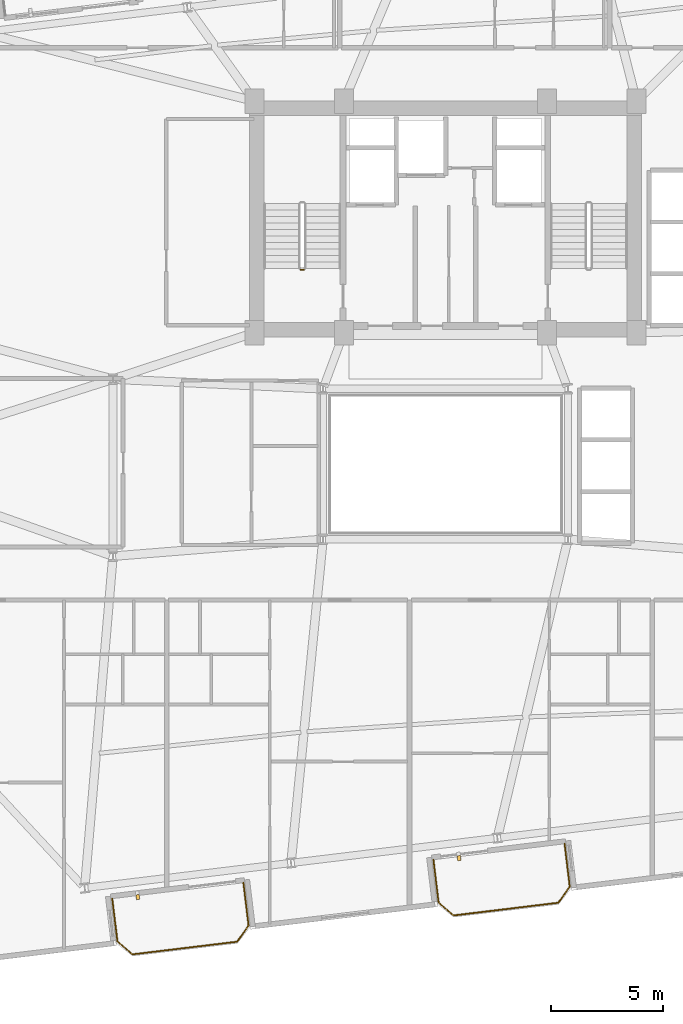
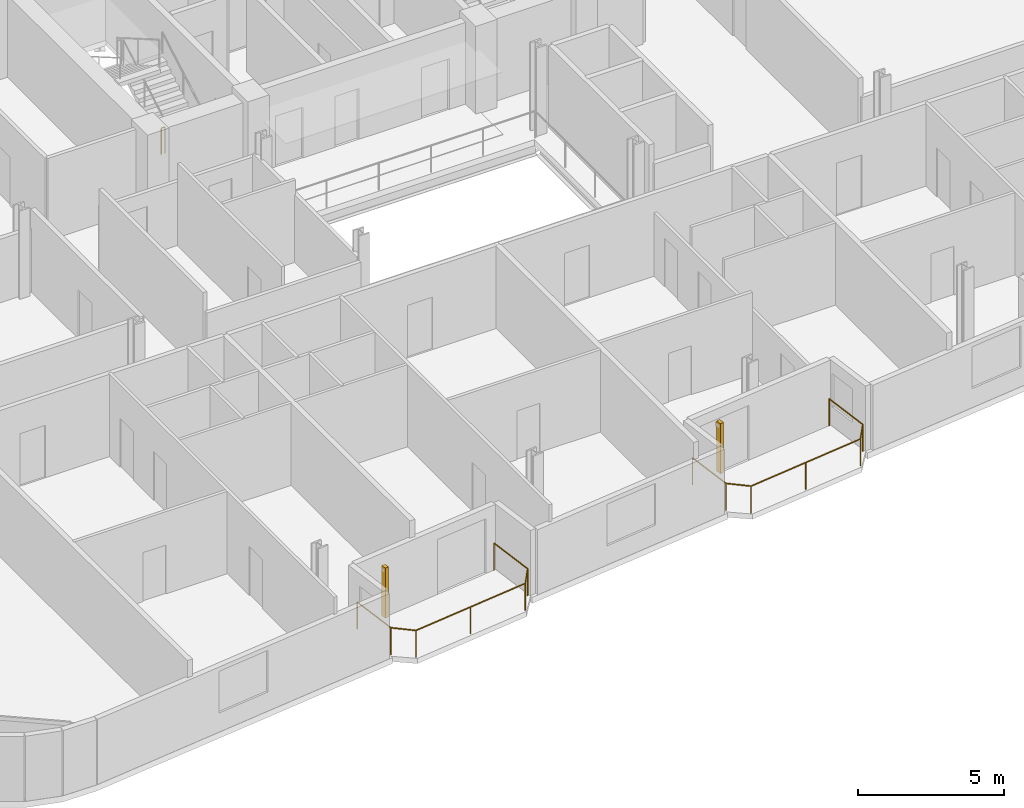
# One storey, part 21 of 24: 3 railings, 2 shading devices.
"""IFC4 building model written with IfcOpenShell, lengths in metres."""

from ifc_helpers import new_model, si_unit, direction, frame, origin, origin_2d, place, context, subcontext, project, spatial, rectangle, circle, extrude, source, transform, mapped, material, type_object, element, save


model = new_model("IFC4")

# Units and contexts
model_context = context("Model", 3, precision=1e-05, world=origin(), true_north=direction((0.0, 1.0)))
body_context = subcontext(model_context, "Body", "Model", "MODEL_VIEW")
ifc_project = project(units=[si_unit("LENGTHUNIT", "METRE"), si_unit("AREAUNIT", "SQUARE_METRE"), si_unit("VOLUMEUNIT", "CUBIC_METRE"), si_unit("PLANEANGLEUNIT", "RADIAN"), si_unit("MASSUNIT", "GRAM", prefix="KILO")], contexts=[model_context])

# Site, building, storey
site_placement = place(None, origin())
site = spatial("IfcSite", under=ifc_project, at=site_placement, CompositionType="ELEMENT")
building_placement = place(site_placement, origin())
building = spatial("IfcBuilding", under=site, at=building_placement, Name="Varnelok Gate Tower", CompositionType="ELEMENT")
storey_placement = place(building_placement, frame((0.0, 0.0, 167.199951171875)))
storey = spatial("IfcBuildingStorey", under=building, at=storey_placement, Name="L42", CompositionType="ELEMENT", Elevation=167.199951171875)

# Railings
ifc_material_1 = material(Name="Low-E Laminated Double Glazing IGU", Category="glass")
railing_type_1 = type_object("IfcRailingType", Name="RL-BALC-1150", PredefinedType="BALUSTRADE", material=ifc_material_1)
railing_1_placement = place(storey_placement, frame((24.368896484375, 3.55712890625, 0.0)))
element("IfcRailing", 1, at=railing_1_placement, inside=storey, type_object=railing_type_1, Name="L42 South Terrace Balustrade 1", PredefinedType="BALUSTRADE", context=body_context, shape_type="SweptSolid", body=[
    extrude(circle(Radius=0.02392578125, at=origin_2d()), frame((0.0, 0.0, 1.1259765625), z_axis=(0.120293392036, -0.992738384386, 0.0), x_axis=(0.992738384386, 0.120293392036, 0.0)), (0.0, 0.0, 1.0), 1.919921875),
    extrude(circle(Radius=0.02392578125, at=origin_2d()), frame((0.23095703125, -1.906005859375, 1.1259765625), z_axis=(0.756422670136, -0.654083132411, 0.0), x_axis=(0.654083132411, 0.756422670136, 0.0)), (0.0, 0.0, 1.0), 0.8779296875),
    extrude(circle(Radius=0.02392578125, at=origin_2d()), frame((0.89501953125, -2.480224609375, 1.1259765625), z_axis=(0.992736790351, 0.120306546306, 0.0), x_axis=(-0.120306546306, 0.992736790351, 0.0)), (0.0, 0.0, 1.0), 4.699951171875),
    extrude(circle(Radius=0.02392578125, at=origin_2d()), frame((5.560791015625, -1.914794921875, 1.1259765625), z_axis=(0.57815621837, 0.815926091726, 0.0), x_axis=(-0.815926091726, 0.57815621837, 0.0)), (0.0, 0.0, 1.0), 0.8779296875),
    extrude(circle(Radius=0.02392578125, at=origin_2d()), frame((6.068359375, -1.198486328125, 1.1259765625), z_axis=(-0.12040351024, 0.992725034802, 0.0), x_axis=(-0.992725034802, -0.12040351024, 0.0)), (0.0, 0.0, 1.0), 1.920166015625),
    extrude(circle(Radius=0.02099609375, at=origin_2d()), origin(), (0.0, 0.0, 1.0), 1.101806640625),
    extrude(circle(Radius=0.02099609375, at=origin_2d()), frame((0.23095703125, -1.906005859375, 0.0)), (0.0, 0.0, 1.0), 1.101806640625),
    extrude(circle(Radius=0.02099609375, at=origin_2d()), frame((0.89501953125, -2.480224609375, 0.0)), (0.0, 0.0, 1.0), 1.101806640625),
    extrude(circle(Radius=0.02099609375, at=origin_2d()), frame((3.22802734375, -2.197509765625, 0.0)), (0.0, 0.0, 1.0), 1.101806640625),
    extrude(circle(Radius=0.02099609375, at=origin_2d()), frame((5.560791015625, -1.914794921875, 0.0)), (0.0, 0.0, 1.0), 1.101806640625),
    extrude(circle(Radius=0.02099609375, at=origin_2d()), frame((6.068359375, -1.198486328125, 0.0)), (0.0, 0.0, 1.0), 1.101806640625),
    extrude(circle(Radius=0.02099609375, at=origin_2d()), frame((5.837158203125, 0.707763671875, 0.0)), (0.0, 0.0, 1.0), 1.101806640625),
])
railing_2_placement = place(storey_placement, frame((38.664306640625, 5.2900390625, 0.0)))
element("IfcRailing", 2, at=railing_2_placement, inside=storey, type_object=railing_type_1, Name="L42 South Terrace Balustrade 2", PredefinedType="BALUSTRADE", context=body_context, shape_type="SweptSolid", body=[
    extrude(circle(Radius=0.02392578125, at=origin_2d()), frame((0.0, 0.0, 1.1259765625), z_axis=(0.120293392036, -0.992738384386, 0.0), x_axis=(0.992738384386, 0.120293392036, 0.0)), (0.0, 0.0, 1.0), 1.919921875),
    extrude(circle(Radius=0.02392578125, at=origin_2d()), frame((0.23095703125, -1.906005859375, 1.1259765625), z_axis=(0.756303655992, -0.654220742513, 0.0), x_axis=(0.654220742513, 0.756303655992, 0.0)), (0.0, 0.0, 1.0), 0.877685546875),
    extrude(circle(Radius=0.02392578125, at=origin_2d()), frame((0.894775390625, -2.480224609375, 1.1259765625), z_axis=(0.99273133746, 0.120351533534, 0.0), x_axis=(-0.120351533534, 0.99273133746, 0.0)), (0.0, 0.0, 1.0), 4.7001953125),
    extrude(circle(Radius=0.02392578125, at=origin_2d()), frame((5.560791015625, -1.91455078125, 1.1259765625), z_axis=(0.577971037086, 0.816057277579, 0.0), x_axis=(-0.816057277579, 0.577971037086, 0.0)), (0.0, 0.0, 1.0), 0.877685546875),
    extrude(circle(Radius=0.02392578125, at=origin_2d()), frame((6.068115234375, -1.1982421875, 1.1259765625), z_axis=(-0.120293392036, 0.992738384386, 0.0), x_axis=(-0.992738384386, -0.120293392036, 0.0)), (0.0, 0.0, 1.0), 1.919921875),
    extrude(circle(Radius=0.02099609375, at=origin_2d()), origin(), (0.0, 0.0, 1.0), 1.101806640625),
    extrude(circle(Radius=0.02099609375, at=origin_2d()), frame((0.23095703125, -1.906005859375, 0.0)), (0.0, 0.0, 1.0), 1.101806640625),
    extrude(circle(Radius=0.02099609375, at=origin_2d()), frame((0.894775390625, -2.480224609375, 0.0)), (0.0, 0.0, 1.0), 1.101806640625),
    extrude(circle(Radius=0.02099609375, at=origin_2d()), frame((3.227783203125, -2.197265625, 0.0)), (0.0, 0.0, 1.0), 1.101806640625),
    extrude(circle(Radius=0.02099609375, at=origin_2d()), frame((5.560791015625, -1.91455078125, 0.0)), (0.0, 0.0, 1.0), 1.101806640625),
    extrude(circle(Radius=0.02099609375, at=origin_2d()), frame((6.068115234375, -1.1982421875, 0.0)), (0.0, 0.0, 1.0), 1.101806640625),
    extrude(circle(Radius=0.02099609375, at=origin_2d()), frame((5.837158203125, 0.707763671875, 0.0)), (0.0, 0.0, 1.0), 1.101806640625),
])
ifc_material_2 = material(Name="Galvanized Steel Grade S350GD", Category="steel")
railing_type_2 = type_object("IfcRailingType", Name="RL-STAIR-GUARD1120", PredefinedType="GUARDRAIL", material=ifc_material_2)
railing_3_placement = place(storey_placement, frame((32.89990234375, 31.550048828125, 0.0)))
element("IfcRailing", 3, at=railing_3_placement, inside=storey, type_object=railing_type_2, Name="L42 ST-1 stair guard 4", PredefinedType="GUARDRAIL", context=body_context, shape_type="SweptSolid", body=[
    extrude(circle(Radius=0.02392578125, at=origin_2d()), frame((0.0, 0.0, 1.09619140625), z_axis=(-1.0, 0.0, 0.0), x_axis=(0.0, -1.0, 0.0)), (0.0, 0.0, 1.0), 0.14990234375),
    extrude(circle(Radius=0.02099609375, at=origin_2d()), origin(), (0.0, 0.0, 1.0), 1.072021484375),
    extrude(circle(Radius=0.02099609375, at=origin_2d()), frame((-0.14990234375, 0.0, 0.0)), (0.0, 0.0, 1.0), 1.072021484375),
])

# Shading devices
ifc_material_3 = material(Name="Glazed Architectural Terracotta Ceramic", Category="masonry")
shading_device_type = type_object("IfcShadingDeviceType", Name="SHD-TERRA-BAGUETTE", PredefinedType="USERDEFINED", material=ifc_material_3)
shared_shape = source(origin(), body_context, "Body", "SweptSolid", [
    extrude(rectangle(XDim=0.139892578125, YDim=0.219970703125, at=origin_2d()), origin(), (0.0, 0.0, 1.0), 2.10009765625),
])
for number, where, z_axis, x_axis, name in (
    (4, (25.509033203125, 3.624755859375, 0.10009765625), (0.0, 0.0, 1.0), (0.992732158755, 0.12034475881, 0.0), "L42 Terracotta Ceramic Baguette Sunscreen 1.1"),
    (5, (39.80419921875, 5.35791015625, 0.10009765625), (0.0, 0.0, 1.0), (0.992732158755, 0.12034475881, 0.0), "L42 Terracotta Ceramic Baguette Sunscreen 2.1"),
):
    element("IfcShadingDevice", number, at=place(storey_placement, frame(where, z_axis=z_axis, x_axis=x_axis)), inside=storey, type_object=shading_device_type, Name=name, ObjectType="BAGUETTE", PredefinedType="USERDEFINED", context=body_context, shape_type="MappedRepresentation", body=[
        mapped(shared_shape, transform((0.0, 0.0, 0.0), scale=1.0)),
    ])

save(model, "model.ifc")
